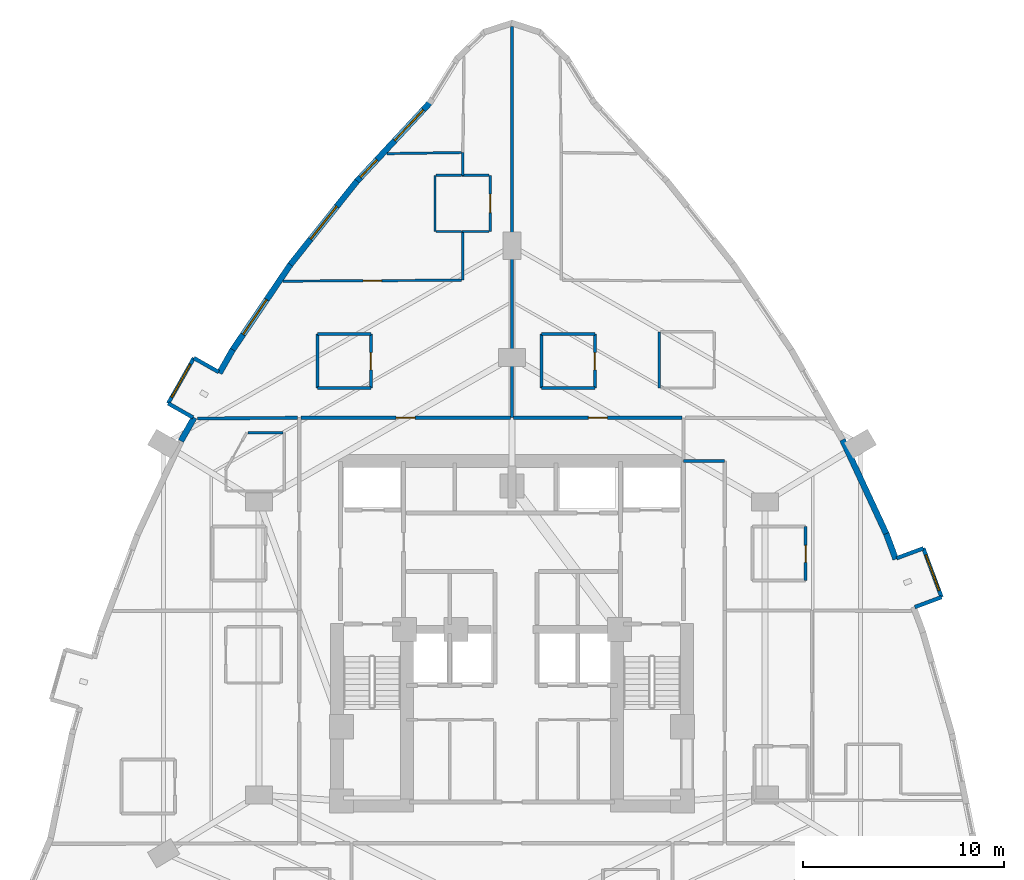
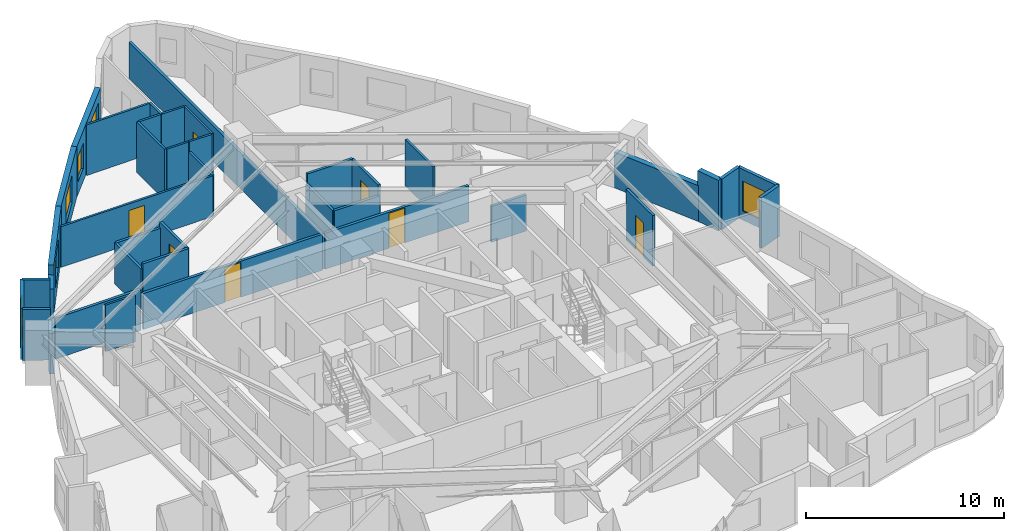
# One storey, part 9 of 11: 39 walls, 7 doors, 6 windows, 13 openings.
"""IFC4 building model written with IfcOpenShell, lengths in metres."""

from ifc_helpers import new_model, si_unit, direction, frame, frame_2d, origin, place, context, subcontext, project, spatial, rectangle, extrude, material, layer, layer_set, type_object, element, fill, save


model = new_model("IFC4")

# Units and contexts
model_context = context("Model", 3, precision=1e-05, world=origin(), true_north=direction((0.0, 1.0)))
body_context = subcontext(model_context, "Body", "Model", "MODEL_VIEW")
ifc_project = project(units=[si_unit("LENGTHUNIT", "METRE"), si_unit("AREAUNIT", "SQUARE_METRE"), si_unit("VOLUMEUNIT", "CUBIC_METRE"), si_unit("PLANEANGLEUNIT", "RADIAN"), si_unit("MASSUNIT", "GRAM", prefix="KILO")], contexts=[model_context])

# Site, building, storey
site_placement = place(None, origin())
site = spatial("IfcSite", under=ifc_project, at=site_placement, CompositionType="ELEMENT")
building_placement = place(site_placement, origin())
building = spatial("IfcBuilding", under=site, at=building_placement, Name="Miruveldt Soraemaru", CompositionType="ELEMENT")
storey_placement = place(building_placement, frame((0.0, 0.0, 66.60009765625)))
storey = spatial("IfcBuildingStorey", under=building, at=storey_placement, Name="L18", CompositionType="ELEMENT", Elevation=66.60009765625)

# Walls
ifc_material_1 = material(Name="White powder-coated aluminium EN AW-6060 T6", Category="aluminium")
ifc_layer_1 = layer(ifc_material_1, 0.18994140625, Name="White powder-coated aluminium EN AW-6060 T6", Category="aluminium")
ifc_layer_set_1 = layer_set([ifc_layer_1], Name="White powder-coated aluminium EN AW-6060 T6")
wall_type_1 = type_object("IfcWallType", Name="WALL-BAY-ALU190", PredefinedType="SOLIDWALL", material=ifc_layer_set_1)
wall_1_placement = place(storey_placement, frame((29.38671875, 56.873779296875, 0.0), z_axis=(0.0, 0.0, 1.0), x_axis=(-0.869840890461, 0.493332367965, 0.0)))
element("IfcWall", 1, at=wall_1_placement, inside=storey, type_object=wall_type_1, Name="L18 Bay Window Side Cheek 1L", PredefinedType="SOLIDWALL", context=body_context, shape_type="SweptSolid", body=[
    extrude(rectangle(XDim=1.42529296875, YDim=0.18994140625, at=frame_2d((0.712646484375, 0.0))), origin(), (0.0, 0.0, 1.0), 3.125),
])
wall_2_placement = place(storey_placement, frame((26.864501953125, 55.315185546875, 0.0), z_axis=(0.0, 0.0, 1.0), x_axis=(0.869872713252, -0.493276253979, 0.0)))
element("IfcWall", 2, at=wall_2_placement, inside=storey, type_object=wall_type_1, Name="L18 Bay Window Side Cheek 1R", PredefinedType="SOLIDWALL", context=body_context, shape_type="SweptSolid", body=[
    extrude(rectangle(XDim=1.4248046875, YDim=0.18994140625, at=frame_2d((0.71240234375, 0.0))), origin(), (0.0, 0.0, 1.0), 3.125),
])

# Wall, opening, window
wall_3_placement = place(storey_placement, frame((28.14697265625, 57.576904296875, 0.0), z_axis=(0.0, 0.0, 1.0), x_axis=(-0.493254211962, -0.869885212187, 0.0)))
wall_3 = element("IfcWall", 3, at=wall_3_placement, inside=storey, type_object=wall_type_1, Name="L18 Bay Window Front Frame 1", PredefinedType="SOLIDWALL", context=body_context, shape_type="SweptSolid", body=[
    extrude(rectangle(XDim=2.60009765625, YDim=0.18994140625, at=frame_2d((1.300048828125, 0.0))), origin(), (0.0, 0.0, 1.0), 3.125),
])
opening_1_placement = place(wall_3_placement, frame((0.35009765625, 0.0, 0.550048828125)))
opening_1 = element("IfcOpeningElement", 4, at=opening_1_placement, cuts=wall_3, Name="Opening WN-6", PredefinedType="OPENING", context=body_context, shape_type="SweptSolid", body=[
    extrude(rectangle(XDim=1.89990234375, YDim=1.85009765625, at=frame_2d((0.949951171875, 0.925048828125))), frame((0.0, 0.10498046875, 0.0), z_axis=(0.0, -1.0, 0.0), x_axis=(1.0, 0.0, 0.0)), (0.0, 0.0, 1.0), 0.2099609375),
])
ifc_material_2 = material(Name="Triple low-e insulated glazing", Category="glass")
window_type_1 = type_object("IfcWindowType", Name="WIN-BAYW-1900x1850", PartitioningType="SINGLE_PANEL", PredefinedType="WINDOW", material=ifc_material_2)
window_1_placement = place(opening_1_placement, origin())
window_1 = element("IfcWindow", 5, at=window_1_placement, inside=storey, type_object=window_type_1, Name="L18 Projecting Bay Window 1", OverallHeight=1.85009765625, OverallWidth=1.89990234375, PartitioningType="SINGLE_PANEL", PredefinedType="WINDOW", context=body_context, shape_type="SweptSolid", body=[
    extrude(rectangle(XDim=1.89990234375, YDim=1.85009765625, at=frame_2d((0.949951171875, 0.925048828125))), frame((0.0, 0.030029296875, 0.0), z_axis=(0.0, -1.0, 0.0), x_axis=(1.0, 0.0, 0.0)), (0.0, 0.0, 1.0), 0.06005859375),
])
fill(opening_1, window_1)

# Walls
for number, where, z_axis, x_axis, name in (
    (6, (64.070556640625, 45.161865234375, 0.0), (0.0, 0.0, 1.0), (0.937129361406, 0.348982177182, 0.0), "L18 Bay Window Side Cheek 6L"),
    (7, (64.49853515625, 48.095703125, 0.0), (0.0, 0.0, 1.0), (-0.937129361406, -0.348982177182, 0.0), "L18 Bay Window Side Cheek 6R"),
):
    element("IfcWall", number, at=place(storey_placement, frame(where, z_axis=z_axis, x_axis=x_axis)), inside=storey, type_object=wall_type_1, Name=name, PredefinedType="SOLIDWALL", context=body_context, shape_type="SweptSolid", body=[
        extrude(rectangle(XDim=1.425048828125, YDim=0.18994140625, at=frame_2d((0.71240234375, 0.0))), origin(), (0.0, 0.0, 1.0), 3.125),
    ])

# Wall, opening, window
wall_4_placement = place(storey_placement, frame((65.406005859375, 45.6591796875, 0.0), z_axis=(0.0, 0.0, 1.0), x_axis=(-0.349023333144, 0.937114034107, 0.0)))
wall_4 = element("IfcWall", 8, at=wall_4_placement, inside=storey, type_object=wall_type_1, Name="L18 Bay Window Front Frame 6", PredefinedType="SOLIDWALL", context=body_context, shape_type="SweptSolid", body=[
    extrude(rectangle(XDim=2.60009765625, YDim=0.18994140625, at=frame_2d((1.300048828125, 0.0))), origin(), (0.0, 0.0, 1.0), 3.125),
])
opening_2_placement = place(wall_4_placement, frame((0.35009765625, 0.0, 0.550048828125)))
opening_2 = element("IfcOpeningElement", 9, at=opening_2_placement, cuts=wall_4, Name="Opening WN-6", PredefinedType="OPENING", context=body_context, shape_type="SweptSolid", body=[
    extrude(rectangle(XDim=1.89990234375, YDim=1.85009765625, at=frame_2d((0.949951171875, 0.925048828125))), frame((0.0, 0.10498046875, 0.0), z_axis=(0.0, -1.0, 0.0), x_axis=(1.0, 0.0, 0.0)), (0.0, 0.0, 1.0), 0.2099609375),
])
window_2_placement = place(opening_2_placement, origin())
window_2 = element("IfcWindow", 10, at=window_2_placement, inside=storey, type_object=window_type_1, Name="L18 Projecting Bay Window 6", OverallHeight=1.85009765625, OverallWidth=1.89990234375, PartitioningType="SINGLE_PANEL", PredefinedType="WINDOW", context=body_context, shape_type="SweptSolid", body=[
    extrude(rectangle(XDim=1.89990234375, YDim=1.85009765625, at=frame_2d((0.949951171875, 0.925048828125))), frame((0.0, 0.030029296875, 0.0), z_axis=(0.0, -1.0, 0.0), x_axis=(1.0, 0.0, 0.0)), (0.0, 0.0, 1.0), 0.06005859375),
])
fill(opening_2, window_2)

# Wall, openings, windows
ifc_material_3 = material(Name="Precast concrete C45/55 (45 MPa)", Category="concrete")
ifc_layer_2 = layer(ifc_material_3, 0.300048828125, Name="Precast concrete C45/55 (45 MPa)", Category="concrete")
ifc_layer_set_2 = layer_set([ifc_layer_2], Name="Precast concrete C45/55 (45 MPa)")
wall_type_2 = type_object("IfcWallType", Name="WALL-EXT-PC300", PredefinedType="SOLIDWALL", material=ifc_layer_set_2)
wall_5_placement = place(storey_placement, frame((39.92724609375, 70.317626953125, 0.0), z_axis=(0.0, 0.0, 1.0), x_axis=(-0.680892924908, -0.732382976871, 0.0)))
wall_5 = element("IfcWall", 11, at=wall_5_placement, inside=storey, type_object=wall_type_2, Name="L18 Precast Concrete Facade Wall 7", PredefinedType="SOLIDWALL", context=body_context, shape_type="SweptSolid", body=[
    extrude(rectangle(XDim=5.42431640625, YDim=0.300048828125, at=frame_2d((2.712158203125, 0.0))), origin(), (0.0, 0.0, 1.0), 3.125),
])
opening_3_placement = place(wall_5_placement, frame((0.5, 0.0, 0.800048828125)))
opening_3 = element("IfcOpeningElement", 12, at=opening_3_placement, cuts=wall_5, Name="Opening WN-1", PredefinedType="OPENING", context=body_context, shape_type="SweptSolid", body=[
    extrude(rectangle(XDim=2.10009765625, YDim=1.699951171875, at=frame_2d((1.050048828125, 0.85009765625))), frame((0.0, 0.16015625, 0.0), z_axis=(0.0, -1.0, 0.0), x_axis=(1.0, 0.0, 0.0)), (0.0, 0.0, 1.0), 0.320068359375),
])
opening_4_placement = place(wall_5_placement, frame((3.902099609375, 0.0, 0.780029296875)))
opening_4 = element("IfcOpeningElement", 13, at=opening_4_placement, cuts=wall_5, Name="Opening WN-4", PredefinedType="OPENING", context=body_context, shape_type="SweptSolid", body=[
    extrude(rectangle(XDim=1.199951171875, YDim=1.550048828125, at=frame_2d((0.60009765625, 0.77490234375))), frame((0.0, 0.16015625, 0.0), z_axis=(0.0, -1.0, 0.0), x_axis=(1.0, 0.0, 0.0)), (0.0, 0.0, 1.0), 0.320068359375),
])
window_type_2 = type_object("IfcWindowType", Name="WIN-PUNCH-1200x1550", PartitioningType="SINGLE_PANEL", PredefinedType="WINDOW", material=ifc_material_2)
window_3_placement = place(opening_4_placement, origin())
window_3 = element("IfcWindow", 14, at=window_3_placement, inside=storey, type_object=window_type_2, Name="L18 Punched Triple-Glazed Window 07.2", OverallHeight=1.550048828125, OverallWidth=1.199951171875, PartitioningType="SINGLE_PANEL", PredefinedType="WINDOW", context=body_context, shape_type="SweptSolid", body=[
    extrude(rectangle(XDim=1.199951171875, YDim=1.550048828125, at=frame_2d((0.60009765625, 0.77490234375))), frame((0.0, 0.030029296875, 0.0), z_axis=(0.0, -1.0, 0.0), x_axis=(1.0, 0.0, 0.0)), (0.0, 0.0, 1.0), 0.06005859375),
])
fill(opening_4, window_3)
window_type_3 = type_object("IfcWindowType", Name="WIN-PUNCH-2100x1700", PartitioningType="SINGLE_PANEL", PredefinedType="WINDOW", material=ifc_material_2)
window_4_placement = place(opening_3_placement, origin())
window_4 = element("IfcWindow", 15, at=window_4_placement, inside=storey, type_object=window_type_3, Name="L18 Punched Triple-Glazed Window 07.1", OverallHeight=1.699951171875, OverallWidth=2.10009765625, PartitioningType="SINGLE_PANEL", PredefinedType="WINDOW", context=body_context, shape_type="SweptSolid", body=[
    extrude(rectangle(XDim=2.10009765625, YDim=1.699951171875, at=frame_2d((1.050048828125, 0.85009765625))), frame((0.0, 0.030029296875, 0.0), z_axis=(0.0, -1.0, 0.0), x_axis=(1.0, 0.0, 0.0)), (0.0, 0.0, 1.0), 0.06005859375),
])
fill(opening_3, window_4)

# Wall, opening, window
wall_6_placement = place(storey_placement, frame((36.279541015625, 66.39794921875, 0.0), z_axis=(0.0, 0.0, 1.0), x_axis=(-0.623588074448, -0.781753102588, 0.0)))
wall_6 = element("IfcWall", 16, at=wall_6_placement, inside=storey, type_object=wall_type_2, Name="L18 Precast Concrete Facade Wall 8", PredefinedType="SOLIDWALL", context=body_context, shape_type="SweptSolid", body=[
    extrude(rectangle(XDim=5.328369140625, YDim=0.300048828125, at=frame_2d((2.6640625, 0.0))), origin(), (0.0, 0.0, 1.0), 3.125),
])
opening_5_placement = place(wall_6_placement, frame((1.614013671875, 0.0, 0.800048828125)))
opening_5 = element("IfcOpeningElement", 17, at=opening_5_placement, cuts=wall_6, Name="Opening WN-1", PredefinedType="OPENING", context=body_context, shape_type="SweptSolid", body=[
    extrude(rectangle(XDim=2.10009765625, YDim=1.699951171875, at=frame_2d((1.050048828125, 0.85009765625))), frame((0.0, 0.16015625, 0.0), z_axis=(0.0, -1.0, 0.0), x_axis=(1.0, 0.0, 0.0)), (0.0, 0.0, 1.0), 0.320068359375),
])
window_5_placement = place(opening_5_placement, origin())
window_5 = element("IfcWindow", 18, at=window_5_placement, inside=storey, type_object=window_type_3, Name="L18 Punched Triple-Glazed Window 08.1", OverallHeight=1.699951171875, OverallWidth=2.10009765625, PartitioningType="SINGLE_PANEL", PredefinedType="WINDOW", context=body_context, shape_type="SweptSolid", body=[
    extrude(rectangle(XDim=2.10009765625, YDim=1.699951171875, at=frame_2d((1.050048828125, 0.85009765625))), frame((0.0, 0.030029296875, 0.0), z_axis=(0.0, -1.0, 0.0), x_axis=(1.0, 0.0, 0.0)), (0.0, 0.0, 1.0), 0.06005859375),
])
fill(opening_5, window_5)

wall_7_placement = place(storey_placement, frame((32.998046875, 62.288818359375, 0.0), z_axis=(0.0, 0.0, 1.0), x_axis=(-0.560829682514, -0.827931197148, 0.0)))
wall_7 = element("IfcWall", 19, at=wall_7_placement, inside=storey, type_object=wall_type_2, Name="L18 Precast Concrete Facade Wall 9", PredefinedType="SOLIDWALL", context=body_context, shape_type="SweptSolid", body=[
    extrude(rectangle(XDim=5.262939453125, YDim=0.300048828125, at=frame_2d((2.63134765625, 0.0))), origin(), (0.0, 0.0, 1.0), 3.125),
])
opening_6_placement = place(wall_7_placement, frame((2.178955078125, 0.0, 0.800048828125)))
opening_6 = element("IfcOpeningElement", 20, at=opening_6_placement, cuts=wall_7, Name="Opening WN-1", PredefinedType="OPENING", context=body_context, shape_type="SweptSolid", body=[
    extrude(rectangle(XDim=2.10009765625, YDim=1.699951171875, at=frame_2d((1.050048828125, 0.85009765625))), frame((0.0, 0.16015625, 0.0), z_axis=(0.0, -1.0, 0.0), x_axis=(1.0, 0.0, 0.0)), (0.0, 0.0, 1.0), 0.320068359375),
])
window_6_placement = place(opening_6_placement, origin())
window_6 = element("IfcWindow", 21, at=window_6_placement, inside=storey, type_object=window_type_3, Name="L18 Punched Triple-Glazed Window 09.1", OverallHeight=1.699951171875, OverallWidth=2.10009765625, PartitioningType="SINGLE_PANEL", PredefinedType="WINDOW", context=body_context, shape_type="SweptSolid", body=[
    extrude(rectangle(XDim=2.10009765625, YDim=1.699951171875, at=frame_2d((1.050048828125, 0.85009765625))), frame((0.0, 0.030029296875, 0.0), z_axis=(0.0, -1.0, 0.0), x_axis=(1.0, 0.0, 0.0)), (0.0, 0.0, 1.0), 0.06005859375),
])
fill(opening_6, window_6)

# Walls
for number, where, z_axis, x_axis, name in (
    (22, (30.083251953125, 57.99072265625, 0.0), (0.0, 0.0, 1.0), (-0.493360603659, -0.869824875913, 0.0), "L18 Precast Pier Wall 10A"),
    (23, (28.16650390625, 54.611328125, 0.0), (0.0, 0.0, 1.0), (-0.493360603659, -0.869824875913, 0.0), "L18 Precast Pier Wall 10B"),
):
    element("IfcWall", number, at=place(storey_placement, frame(where, z_axis=z_axis, x_axis=x_axis)), inside=storey, type_object=wall_type_2, Name=name, PredefinedType="SOLIDWALL", context=body_context, shape_type="SweptSolid", body=[
        extrude(rectangle(XDim=1.344970703125, YDim=0.300048828125, at=frame_2d((0.67236328125, 0.0))), origin(), (0.0, 0.0, 1.0), 2.512939453125),
    ])
wall_8_placement = place(storey_placement, frame((63.1220703125, 47.551025390625, 0.0), z_axis=(0.0, 0.0, 1.0), x_axis=(-0.348960814718, 0.937137316401, 0.0)))
element("IfcWall", 24, at=wall_8_placement, inside=storey, type_object=wall_type_2, Name="L18 Precast Pier Wall 37B", PredefinedType="SOLIDWALL", context=body_context, shape_type="SweptSolid", body=[
    extrude(rectangle(XDim=1.361572265625, YDim=0.300048828125, at=frame_2d((0.6806640625, 0.0))), origin(), (0.0, 0.0, 1.0), 3.125),
])
wall_9_placement = place(storey_placement, frame((62.673828125, 48.762451171875, 0.0), z_axis=(0.0, 0.0, 1.0), x_axis=(-0.422302745221, 0.906454847954, 0.0)))
element("IfcWall", 25, at=wall_9_placement, inside=storey, type_object=wall_type_2, Name="L18 Precast Concrete Facade Wall 38", PredefinedType="SOLIDWALL", context=body_context, shape_type="SweptSolid", body=[
    extrude(rectangle(XDim=5.230224609375, YDim=0.300048828125, at=frame_2d((2.615234375, 0.0))), origin(), (0.0, 0.0, 1.0), 2.212890625),
])

# Wall, opening, door
ifc_material_4 = material(Name="Gypsum plasterboard lining", Category="gypsum")
ifc_layer_3 = layer(ifc_material_4, 0.1201171875, Name="Gypsum plasterboard lining", Category="gypsum")
ifc_layer_set_3 = layer_set([ifc_layer_3], Name="Gypsum plasterboard lining")
wall_type_3 = type_object("IfcWallType", Name="WALL-INT-P120", PredefinedType="PARTITIONING", material=ifc_layer_set_3)
wall_10_placement = place(storey_placement, frame((41.489990234375, 61.452880859375, 0.0), z_axis=(0.0, 0.0, 1.0), x_axis=(-0.999986101911, -0.00527218968, 0.0)))
wall_10 = element("IfcWall", 26, at=wall_10_placement, inside=storey, type_object=wall_type_3, Name="L18 Partition Wall 21", PredefinedType="PARTITIONING", context=body_context, shape_type="SweptSolid", body=[
    extrude(rectangle(XDim=8.89111328125, YDim=0.1201171875, at=frame_2d((4.445556640625, 0.0))), origin(), (0.0, 0.0, 1.0), 2.512939453125),
])
opening_7_placement = place(wall_10_placement, frame((3.986083984375, 0.0, 0.0)))
opening_7 = element("IfcOpeningElement", 27, at=opening_7_placement, cuts=wall_10, Name="Opening D3A", PredefinedType="OPENING", context=body_context, shape_type="SweptSolid", body=[
    extrude(rectangle(XDim=0.919921875, YDim=2.10009765625, at=frame_2d((0.4599609375, 1.050048828125))), frame((0.0, 0.070068359375, 0.0), z_axis=(0.0, -1.0, 0.0), x_axis=(1.0, 0.0, 0.0)), (0.0, 0.0, 1.0), 0.14013671875),
])
ifc_material_5 = material(Name="Anodised aluminium EN AW-6063 T6", Category="aluminium")
door_type_1 = type_object("IfcDoorType", Name="DOOR-INT-920", OperationType="NOTDEFINED", PredefinedType="DOOR", material=ifc_material_5)
door_1_placement = place(opening_7_placement, origin())
door_1 = element("IfcDoor", 28, at=door_1_placement, inside=storey, type_object=door_type_1, Name="L18 Unit 1801 BD1 Door", OperationType="SINGLE_SWING_RIGHT", OverallHeight=2.10009765625, OverallWidth=0.919921875, PredefinedType="DOOR", context=body_context, shape_type="SweptSolid", body=[
    extrude(rectangle(XDim=0.919921875, YDim=2.10009765625, at=frame_2d((0.4599609375, 1.050048828125))), frame((0.0, 0.02490234375, 0.0), z_axis=(0.0, -1.0, 0.0), x_axis=(1.0, 0.0, 0.0)), (0.0, 0.0, 1.0), 0.050048828125),
])
fill(opening_7, door_1)

wall_11_placement = place(storey_placement, frame((42.912109375, 63.8798828125, 0.0), z_axis=(0.0, 0.0, 1.0), x_axis=(0.0, 1.0, 0.0)))
wall_11 = element("IfcWall", 29, at=wall_11_placement, inside=storey, type_object=wall_type_3, Name="L18 Partition Wall 16", PredefinedType="PARTITIONING", context=body_context, shape_type="SweptSolid", body=[
    extrude(rectangle(XDim=2.800048828125, YDim=0.1201171875, at=frame_2d((1.39990234375, 0.0))), origin(), (0.0, 0.0, 1.0), 3.125),
])
opening_8_placement = place(wall_11_placement, frame((0.93994140625, 0.0, 0.0)))
opening_8 = element("IfcOpeningElement", 30, at=opening_8_placement, cuts=wall_11, Name="Opening D3A", PredefinedType="OPENING", context=body_context, shape_type="SweptSolid", body=[
    extrude(rectangle(XDim=0.919921875, YDim=2.10009765625, at=frame_2d((0.4599609375, 1.050048828125))), frame((0.0, 0.070068359375, 0.0), z_axis=(0.0, -1.0, 0.0), x_axis=(1.0, 0.0, 0.0)), (0.0, 0.0, 1.0), 0.14013671875),
])
door_2_placement = place(opening_8_placement, origin())
door_2 = element("IfcDoor", 31, at=door_2_placement, inside=storey, type_object=door_type_1, Name="L18 Unit 1801 KIT Door", OperationType="SINGLE_SWING_LEFT", OverallHeight=2.10009765625, OverallWidth=0.919921875, PredefinedType="DOOR", context=body_context, shape_type="SweptSolid", body=[
    extrude(rectangle(XDim=0.919921875, YDim=2.10009765625, at=frame_2d((0.4599609375, 1.050048828125))), frame((0.0, 0.02490234375, 0.0), z_axis=(0.0, -1.0, 0.0), x_axis=(1.0, 0.0, 0.0)), (0.0, 0.0, 1.0), 0.050048828125),
])
fill(opening_8, door_2)

# Walls
wall_12_placement = place(storey_placement, frame((41.489990234375, 67.81591796875, 0.0), z_axis=(0.0, 0.0, 1.0), x_axis=(-0.999882856241, -0.015306005223, 0.0)))
element("IfcWall", 32, at=wall_12_placement, inside=storey, type_object=wall_type_3, Name="L18 Partition Wall 28", PredefinedType="PARTITIONING", context=body_context, shape_type="SweptSolid", body=[
    extrude(rectangle(XDim=3.716552734375, YDim=0.1201171875, at=frame_2d((1.8583984375, 0.0))), origin(), (0.0, 0.0, 1.0), 3.125),
])
wall_13_placement = place(storey_placement, frame((40.162109375, 66.679931640625, 0.0), z_axis=(0.0, 0.0, 1.0), x_axis=(0.0, -1.0, 0.0)))
element("IfcWall", 33, at=wall_13_placement, inside=storey, type_object=wall_type_3, Name="L18 Partition Wall 26", PredefinedType="PARTITIONING", context=body_context, shape_type="SweptSolid", body=[
    extrude(rectangle(XDim=2.800048828125, YDim=0.1201171875, at=frame_2d((1.39990234375, 0.0))), origin(), (0.0, 0.0, 1.0), 3.125),
])
wall_14_placement = place(storey_placement, frame((51.330078125, 58.8798828125, 0.0), z_axis=(0.0, 0.0, 1.0), x_axis=(0.0, -1.0, 0.0)))
element("IfcWall", 34, at=wall_14_placement, inside=storey, type_object=wall_type_3, Name="L18 Partition Wall 35", PredefinedType="PARTITIONING", context=body_context, shape_type="SweptSolid", body=[
    extrude(rectangle(XDim=2.7998046875, YDim=0.1201171875, at=frame_2d((1.39990234375, 0.0))), origin(), (0.0, 0.0, 1.0), 2.86279296875),
])
wall_15_placement = place(storey_placement, frame((41.550048828125, 63.8798828125, 0.0), z_axis=(0.0, 0.0, 1.0), x_axis=(0.0, -1.0, 0.0)))
element("IfcWall", 35, at=wall_15_placement, inside=storey, type_object=wall_type_3, Name="L18 Partition Wall 20", PredefinedType="PARTITIONING", context=body_context, shape_type="SweptSolid", body=[
    extrude(rectangle(XDim=2.427001953125, YDim=0.1201171875, at=frame_2d((1.21337890625, 0.0))), origin(), (0.0, 0.0, 1.0), 2.512939453125),
])
wall_16_placement = place(storey_placement, frame((30.841064453125, 53.85009765625, 0.0), z_axis=(0.0, 0.0, 1.0), x_axis=(1.0, 0.0, 0.0)))
element("IfcWall", 36, at=wall_16_placement, inside=storey, type_object=wall_type_3, Name="L18 Partition Wall 49", PredefinedType="PARTITIONING", context=body_context, shape_type="SweptSolid", body=[
    extrude(rectangle(XDim=1.7490234375, YDim=0.1201171875, at=frame_2d((0.87451171875, 0.0))), origin(), (0.0, 0.0, 1.0), 2.86279296875),
])
for number, where, z_axis, x_axis, name in (
    (37, (42.85205078125, 66.679931640625, 0.0), (0.0, 0.0, 1.0), (-1.0, 0.0, 0.0), "L18 Partition Wall 17"),
    (38, (41.52001953125, 63.8798828125, 0.0), (0.0, 0.0, 1.0), (1.0, 0.0, 0.0), "L18 Partition Wall 18"),
):
    element("IfcWall", number, at=place(storey_placement, frame(where, z_axis=z_axis, x_axis=x_axis)), inside=storey, type_object=wall_type_3, Name=name, PredefinedType="PARTITIONING", context=body_context, shape_type="SweptSolid", body=[
        extrude(rectangle(XDim=1.33203125, YDim=0.1201171875, at=frame_2d((0.666015625, 0.0))), origin(), (0.0, 0.0, 1.0), 3.125),
    ])
for number, where, z_axis, x_axis, name in (
    (39, (41.489990234375, 66.679931640625, 0.0), (0.0, 0.0, 1.0), (-1.0, 0.0, 0.0), "L18 Partition Wall 25"),
    (40, (40.221923828125, 63.8798828125, 0.0), (0.0, 0.0, 1.0), (1.0, 0.0, 0.0), "L18 Partition Wall 27"),
):
    element("IfcWall", number, at=place(storey_placement, frame(where, z_axis=z_axis, x_axis=x_axis)), inside=storey, type_object=wall_type_3, Name=name, PredefinedType="PARTITIONING", context=body_context, shape_type="SweptSolid", body=[
        extrude(rectangle(XDim=1.26806640625, YDim=0.1201171875, at=frame_2d((0.634033203125, 0.0))), origin(), (0.0, 0.0, 1.0), 3.125),
    ])
wall_17_placement = place(storey_placement, frame((41.550048828125, 67.81689453125, 0.0), z_axis=(0.0, 0.0, 1.0), x_axis=(0.0, -1.0, 0.0)))
element("IfcWall", 41, at=wall_17_placement, inside=storey, type_object=wall_type_3, Name="L18 Partition Wall 19", PredefinedType="PARTITIONING", context=body_context, shape_type="SweptSolid", body=[
    extrude(rectangle(XDim=1.136962890625, YDim=0.1201171875, at=frame_2d((0.568359375, 0.0))), origin(), (0.0, 0.0, 1.0), 3.125),
])

# Wall, opening, door
ifc_layer_4 = layer(ifc_material_4, 0.14990234375, Name="Gypsum plasterboard lining", Category="gypsum")
ifc_layer_set_4 = layer_set([ifc_layer_4], Name="Gypsum plasterboard lining")
wall_type_4 = type_object("IfcWallType", Name="WALL-INT-PLUMB", PredefinedType="PLUMBINGWALL", material=ifc_layer_set_4)
wall_18_placement = place(storey_placement, frame((36.9619140625, 56.080078125, 0.0), z_axis=(0.0, 0.0, 1.0), x_axis=(0.0, 1.0, 0.0)))
wall_18 = element("IfcWall", 42, at=wall_18_placement, inside=storey, type_object=wall_type_4, Name="L18 Partition Wall 12", PredefinedType="PLUMBINGWALL", context=body_context, shape_type="SweptSolid", body=[
    extrude(rectangle(XDim=2.699951171875, YDim=0.14990234375, at=frame_2d((1.35009765625, 0.0))), origin(), (0.0, 0.0, 1.0), 2.86279296875),
])
opening_9_placement = place(wall_18_placement, frame((0.909912109375, 0.0, 0.0)))
opening_9 = element("IfcOpeningElement", 43, at=opening_9_placement, cuts=wall_18, Name="Opening FD3", PredefinedType="OPENING", context=body_context, shape_type="SweptSolid", body=[
    extrude(rectangle(XDim=0.85009765625, YDim=2.10009765625, at=frame_2d((0.425048828125, 1.050048828125))), frame((0.0, 0.0849609375, 0.0), z_axis=(0.0, -1.0, 0.0), x_axis=(1.0, 0.0, 0.0)), (0.0, 0.0, 1.0), 0.169921875),
])
door_type_2 = type_object("IfcDoorType", Name="DOOR-FD3-850", OperationType="NOTDEFINED", PredefinedType="DOOR", material=ifc_material_5)
door_3_placement = place(opening_9_placement, origin())
door_3 = element("IfcDoor", 44, at=door_3_placement, inside=storey, type_object=door_type_2, Name="L18 Unit 1801 BTH Door", OperationType="SINGLE_SWING_RIGHT", OverallHeight=2.10009765625, OverallWidth=0.85009765625, PredefinedType="DOOR", context=body_context, shape_type="SweptSolid", body=[
    extrude(rectangle(XDim=0.85009765625, YDim=2.10009765625, at=frame_2d((0.425048828125, 1.050048828125))), frame((0.0, 0.02490234375, 0.0), z_axis=(0.0, -1.0, 0.0), x_axis=(1.0, 0.0, 0.0)), (0.0, 0.0, 1.0), 0.050048828125),
])
fill(opening_9, door_3)

wall_19_placement = place(storey_placement, frame((48.1298828125, 56.080078125, 0.0), z_axis=(0.0, 0.0, 1.0), x_axis=(0.0, 1.0, 0.0)))
wall_19 = element("IfcWall", 45, at=wall_19_placement, inside=storey, type_object=wall_type_4, Name="L18 Partition Wall 29", PredefinedType="PLUMBINGWALL", context=body_context, shape_type="SweptSolid", body=[
    extrude(rectangle(XDim=2.699951171875, YDim=0.14990234375, at=frame_2d((1.35009765625, 0.0))), origin(), (0.0, 0.0, 1.0), 2.86279296875),
])
opening_10_placement = place(wall_19_placement, frame((0.909912109375, 0.0, 0.0)))
opening_10 = element("IfcOpeningElement", 46, at=opening_10_placement, cuts=wall_19, Name="Opening FD3", PredefinedType="OPENING", context=body_context, shape_type="SweptSolid", body=[
    extrude(rectangle(XDim=0.85009765625, YDim=2.10009765625, at=frame_2d((0.425048828125, 1.050048828125))), frame((0.0, 0.0849609375, 0.0), z_axis=(0.0, -1.0, 0.0), x_axis=(1.0, 0.0, 0.0)), (0.0, 0.0, 1.0), 0.169921875),
])
door_4_placement = place(opening_10_placement, origin())
door_4 = element("IfcDoor", 47, at=door_4_placement, inside=storey, type_object=door_type_2, Name="L18 Unit 1802 BTH Door", OperationType="SINGLE_SWING_LEFT", OverallHeight=2.10009765625, OverallWidth=0.85009765625, PredefinedType="DOOR", context=body_context, shape_type="SweptSolid", body=[
    extrude(rectangle(XDim=0.85009765625, YDim=2.10009765625, at=frame_2d((0.425048828125, 1.050048828125))), frame((0.0, 0.02490234375, 0.0), z_axis=(0.0, -1.0, 0.0), x_axis=(1.0, 0.0, 0.0)), (0.0, 0.0, 1.0), 0.050048828125),
])
fill(opening_10, door_4)

wall_20_placement = place(storey_placement, frame((58.6298828125, 46.47998046875, 0.0), z_axis=(0.0, 0.0, 1.0), x_axis=(0.0, 1.0, 0.0)))
wall_20 = element("IfcWall", 48, at=wall_20_placement, inside=storey, type_object=wall_type_4, Name="L18 Partition Wall 61", PredefinedType="PLUMBINGWALL", context=body_context, shape_type="SweptSolid", body=[
    extrude(rectangle(XDim=2.699951171875, YDim=0.14990234375, at=frame_2d((1.35009765625, 0.0))), origin(), (0.0, 0.0, 1.0), 3.125),
])
opening_11_placement = place(wall_20_placement, frame((0.909912109375, 0.0, 0.0)))
opening_11 = element("IfcOpeningElement", 49, at=opening_11_placement, cuts=wall_20, Name="Opening FD3", PredefinedType="OPENING", context=body_context, shape_type="SweptSolid", body=[
    extrude(rectangle(XDim=0.85009765625, YDim=2.10009765625, at=frame_2d((0.425048828125, 1.050048828125))), frame((0.0, 0.0849609375, 0.0), z_axis=(0.0, -1.0, 0.0), x_axis=(1.0, 0.0, 0.0)), (0.0, 0.0, 1.0), 0.169921875),
])
door_5_placement = place(opening_11_placement, origin())
door_5 = element("IfcDoor", 50, at=door_5_placement, inside=storey, type_object=door_type_2, Name="L18 Unit CL05 BTH Door", OperationType="SINGLE_SWING_RIGHT", OverallHeight=2.10009765625, OverallWidth=0.85009765625, PredefinedType="DOOR", context=body_context, shape_type="SweptSolid", body=[
    extrude(rectangle(XDim=0.85009765625, YDim=2.10009765625, at=frame_2d((0.425048828125, 1.050048828125))), frame((0.0, 0.02490234375, 0.0), z_axis=(0.0, -1.0, 0.0), x_axis=(1.0, 0.0, 0.0)), (0.0, 0.0, 1.0), 0.050048828125),
])
fill(opening_11, door_5)

# Walls
wall_21_placement = place(storey_placement, frame((34.31201171875, 58.780029296875, 0.0), z_axis=(0.0, 0.0, 1.0), x_axis=(0.0, -1.0, 0.0)))
element("IfcWall", 51, at=wall_21_placement, inside=storey, type_object=wall_type_4, Name="L18 Partition Wall 14", PredefinedType="PLUMBINGWALL", context=body_context, shape_type="SweptSolid", body=[
    extrude(rectangle(XDim=2.699951171875, YDim=0.14990234375, at=frame_2d((1.35009765625, 0.0))), origin(), (0.0, 0.0, 1.0), 2.512939453125),
])
wall_22_placement = place(storey_placement, frame((45.47998046875, 58.780029296875, 0.0), z_axis=(0.0, 0.0, 1.0), x_axis=(0.0, -1.0, 0.0)))
element("IfcWall", 52, at=wall_22_placement, inside=storey, type_object=wall_type_4, Name="L18 Partition Wall 31", PredefinedType="PLUMBINGWALL", context=body_context, shape_type="SweptSolid", body=[
    extrude(rectangle(XDim=2.699951171875, YDim=0.14990234375, at=frame_2d((1.35009765625, 0.0))), origin(), (0.0, 0.0, 1.0), 2.219970703125),
])
wall_23_placement = place(storey_placement, frame((36.9619140625, 58.780029296875, 0.0), z_axis=(0.0, 0.0, 1.0), x_axis=(-1.0, 0.0, 0.0)))
element("IfcWall", 53, at=wall_23_placement, inside=storey, type_object=wall_type_4, Name="L18 Partition Wall 13", PredefinedType="PLUMBINGWALL", context=body_context, shape_type="SweptSolid", body=[
    extrude(rectangle(XDim=2.64990234375, YDim=0.14990234375, at=frame_2d((1.324951171875, 0.0))), origin(), (0.0, 0.0, 1.0), 2.512939453125),
])
for number, where, z_axis, x_axis, name in (
    (54, (34.31201171875, 56.080078125, 0.0), (0.0, 0.0, 1.0), (1.0, 0.0, 0.0), "L18 Partition Wall 15"),
    (55, (48.1298828125, 58.780029296875, 0.0), (0.0, 0.0, 1.0), (-1.0, 0.0, 0.0), "L18 Partition Wall 30"),
):
    element("IfcWall", number, at=place(storey_placement, frame(where, z_axis=z_axis, x_axis=x_axis)), inside=storey, type_object=wall_type_4, Name=name, PredefinedType="PLUMBINGWALL", context=body_context, shape_type="SweptSolid", body=[
        extrude(rectangle(XDim=2.64990234375, YDim=0.14990234375, at=frame_2d((1.324951171875, 0.0))), origin(), (0.0, 0.0, 1.0), 2.86279296875),
    ])
wall_24_placement = place(storey_placement, frame((45.47998046875, 56.080078125, 0.0), z_axis=(0.0, 0.0, 1.0), x_axis=(1.0, 0.0, 0.0)))
element("IfcWall", 56, at=wall_24_placement, inside=storey, type_object=wall_type_4, Name="L18 Partition Wall 32", PredefinedType="PLUMBINGWALL", context=body_context, shape_type="SweptSolid", body=[
    extrude(rectangle(XDim=2.64990234375, YDim=0.14990234375, at=frame_2d((1.324951171875, 0.0))), origin(), (0.0, 0.0, 1.0), 2.219970703125),
])

# Wall, opening, door
ifc_material_6 = material(Name="Concrete C40/50 (40 MPa)", Category="concrete")
ifc_layer_5 = layer(ifc_material_6, 0.159912109375, Name="Concrete C40/50 (40 MPa)", Category="concrete")
ifc_layer_set_5 = layer_set([ifc_layer_5], Name="Concrete C40/50 (40 MPa)")
wall_type_5 = type_object("IfcWallType", Name="WALL-INT-RC160", PredefinedType="SOLIDWALL", material=ifc_layer_set_5)
wall_25_placement = place(storey_placement, frame((43.919921875, 54.60009765625, 0.0), z_axis=(0.0, 0.0, 1.0), x_axis=(-1.0, 0.0, 0.0)))
wall_25 = element("IfcWall", 57, at=wall_25_placement, inside=storey, type_object=wall_type_5, Name="L18 Partition Wall 1", PredefinedType="SOLIDWALL", context=body_context, shape_type="SweptSolid", body=[
    extrude(rectangle(XDim=10.43994140625, YDim=0.159912109375, at=frame_2d((5.219970703125, 0.0))), origin(), (0.0, 0.0, 1.0), 2.219970703125),
])
opening_12_placement = place(wall_25_placement, frame((4.7451171875, 0.0, 0.0)))
opening_12 = element("IfcOpeningElement", 58, at=opening_12_placement, cuts=wall_25, Name="Opening FD2", PredefinedType="OPENING", context=body_context, shape_type="SweptSolid", body=[
    extrude(rectangle(XDim=0.949951171875, YDim=2.14990234375, at=frame_2d((0.47509765625, 1.074951171875))), frame((0.0, 0.08984375, 0.0), z_axis=(0.0, -1.0, 0.0), x_axis=(1.0, 0.0, 0.0)), (0.0, 0.0, 1.0), 0.179931640625),
])
door_type_3 = type_object("IfcDoorType", Name="DOOR-FD2-950", OperationType="NOTDEFINED", PredefinedType="DOOR", material=ifc_material_5)
door_6_placement = place(opening_12_placement, origin())
door_6 = element("IfcDoor", 59, at=door_6_placement, inside=storey, type_object=door_type_3, Name="L18 Unit 1801 Entrance Fire Door", OperationType="SINGLE_SWING_LEFT", OverallHeight=2.14990234375, OverallWidth=0.949951171875, PredefinedType="DOOR", context=body_context, shape_type="SweptSolid", body=[
    extrude(rectangle(XDim=0.949951171875, YDim=2.14990234375, at=frame_2d((0.47509765625, 1.074951171875))), frame((0.0, 0.02490234375, 0.0), z_axis=(0.0, -1.0, 0.0), x_axis=(1.0, 0.0, 0.0)), (0.0, 0.0, 1.0), 0.050048828125),
])
fill(opening_12, door_6)

wall_26_placement = place(storey_placement, frame((52.469970703125, 54.60009765625, 0.0), z_axis=(0.0, 0.0, 1.0), x_axis=(-1.0, 0.0, 0.0)))
wall_26 = element("IfcWall", 60, at=wall_26_placement, inside=storey, type_object=wall_type_5, Name="L18 Partition Wall 2", PredefinedType="SOLIDWALL", context=body_context, shape_type="SweptSolid", body=[
    extrude(rectangle(XDim=8.389892578125, YDim=0.159912109375, at=frame_2d((4.19482421875, 0.0))), origin(), (0.0, 0.0, 1.0), 2.219970703125),
])
opening_13_placement = place(wall_26_placement, frame((3.719970703125, 0.0, 0.0)))
opening_13 = element("IfcOpeningElement", 61, at=opening_13_placement, cuts=wall_26, Name="Opening FD2", PredefinedType="OPENING", context=body_context, shape_type="SweptSolid", body=[
    extrude(rectangle(XDim=0.949951171875, YDim=2.14990234375, at=frame_2d((0.47509765625, 1.074951171875))), frame((0.0, 0.08984375, 0.0), z_axis=(0.0, -1.0, 0.0), x_axis=(1.0, 0.0, 0.0)), (0.0, 0.0, 1.0), 0.179931640625),
])
door_7_placement = place(opening_13_placement, origin())
door_7 = element("IfcDoor", 62, at=door_7_placement, inside=storey, type_object=door_type_3, Name="L18 Unit 1802 Entrance Fire Door", OperationType="SINGLE_SWING_RIGHT", OverallHeight=2.14990234375, OverallWidth=0.949951171875, PredefinedType="DOOR", context=body_context, shape_type="SweptSolid", body=[
    extrude(rectangle(XDim=0.949951171875, YDim=2.14990234375, at=frame_2d((0.47509765625, 1.074951171875))), frame((0.0, 0.02490234375, 0.0), z_axis=(0.0, -1.0, 0.0), x_axis=(1.0, 0.0, 0.0)), (0.0, 0.0, 1.0), 0.050048828125),
])
fill(opening_13, door_7)

# Walls
wall_27_placement = place(storey_placement, frame((44.0, 54.60009765625, 0.0), z_axis=(0.0, 0.0, 1.0), x_axis=(0.0, 1.0, 0.0)))
element("IfcWall", 63, at=wall_27_placement, inside=storey, type_object=wall_type_5, Name="L18 Partition Wall 23", PredefinedType="SOLIDWALL", context=body_context, shape_type="SweptSolid", body=[
    extrude(rectangle(XDim=19.491943359375, YDim=0.159912109375, at=frame_2d((9.74609375, 0.0))), origin(), (0.0, 0.0, 1.0), 2.219970703125),
])
wall_28_placement = place(storey_placement, frame((28.325927734375, 54.55810546875, 0.0), z_axis=(0.0, 0.0, 1.0), x_axis=(0.99996627708, 0.008212472358, 0.0)))
element("IfcWall", 64, at=wall_28_placement, inside=storey, type_object=wall_type_5, Name="L18 Partition Wall 24", PredefinedType="SOLIDWALL", context=body_context, shape_type="SweptSolid", body=[
    extrude(rectangle(XDim=4.994384765625, YDim=0.159912109375, at=frame_2d((2.4970703125, 0.0))), origin(), (0.0, 0.0, 1.0), 2.512939453125),
])
wall_29_placement = place(storey_placement, frame((54.60009765625, 52.449951171875, 0.0), z_axis=(0.0, 0.0, 1.0), x_axis=(-1.0, 0.0, 0.0)))
element("IfcWall", 65, at=wall_29_placement, inside=storey, type_object=wall_type_5, Name="L18 Partition Wall 6", PredefinedType="SOLIDWALL", context=body_context, shape_type="SweptSolid", body=[
    extrude(rectangle(XDim=2.050048828125, YDim=0.159912109375, at=frame_2d((1.02490234375, 0.0))), origin(), (0.0, 0.0, 1.0), 2.219970703125),
])

save(model, "model.ifc")
